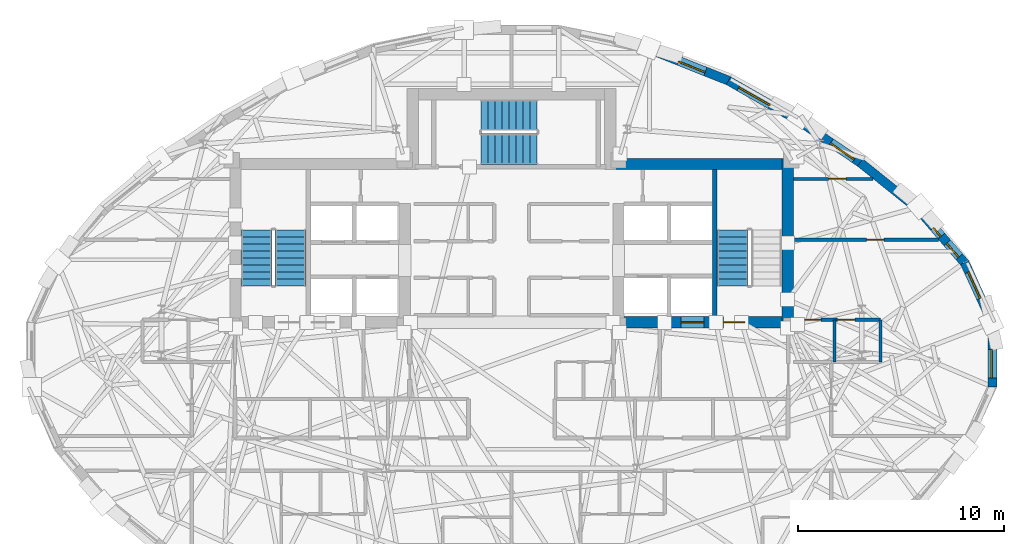
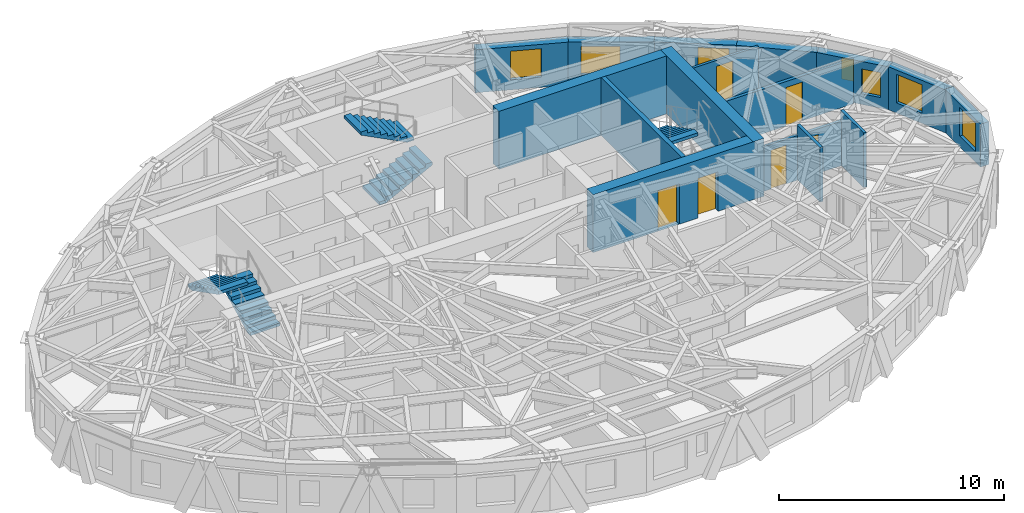
# One storey, part 10 of 14: 16 walls, 7 windows, 6 doors, 5 stair flights, 13 openings, 3 elements without a shape of their own.
"""IFC4 building model written with IfcOpenShell, lengths in metres."""

from ifc_helpers import new_model, si_unit, direction, frame, frame_2d, origin, place, context, subcontext, project, spatial, polyline, rectangle, outline, extrude, material, layer, layer_set, type_object, element, fill, aggregate, save


model = new_model("IFC4")

# Units and contexts
model_context = context("Model", 3, precision=1e-05, world=origin(), true_north=direction((0.0, 1.0)))
body_context = subcontext(model_context, "Body", "Model", "MODEL_VIEW")
ifc_project = project(units=[si_unit("LENGTHUNIT", "METRE"), si_unit("AREAUNIT", "SQUARE_METRE"), si_unit("VOLUMEUNIT", "CUBIC_METRE"), si_unit("PLANEANGLEUNIT", "RADIAN"), si_unit("MASSUNIT", "GRAM", prefix="KILO")], contexts=[model_context])

# Site, building, storey
site_placement = place(None, origin())
site = spatial("IfcSite", under=ifc_project, at=site_placement, CompositionType="ELEMENT")
building_placement = place(site_placement, origin())
building = spatial("IfcBuilding", under=site, at=building_placement, Name="Keldmark Tower", CompositionType="ELEMENT")
storey_placement = place(building_placement, frame((0.0, 0.0, 213.14990234375)))
storey = spatial("IfcBuildingStorey", under=building, at=storey_placement, Name="L59", CompositionType="ELEMENT", Elevation=213.14990234375)

# Walls
ifc_material_1 = material(Name="Concrete C50/60", Category="concrete")
ifc_layer_1 = layer(ifc_material_1, 0.550048828125)
ifc_layer_set_1 = layer_set([ifc_layer_1], Name="Concrete C50/60")
wall_type_1 = type_object("IfcWallType", Name="High-Rise Core Shear Wall 550 mm", PredefinedType="SHEAR", material=ifc_layer_set_1)
wall_1_placement = place(storey_placement, frame((13.425048828125, 1.300048828125, 0.0), z_axis=(0.0, 0.0, 1.0), x_axis=(0.0, 1.0, 0.0)))
element("IfcWall", 1, at=wall_1_placement, inside=storey, type_object=wall_type_1, Name="L59 East Core Outer Shear Wall", PredefinedType="SHEAR", context=body_context, shape_type="SweptSolid", body=[
    extrude(rectangle(XDim=8.25, YDim=0.550048828125, at=frame_2d((4.125, 0.0))), origin(), (0.0, 0.0, 1.0), 3.150146484375),
])
wall_2_placement = place(storey_placement, frame((4.52490234375, 9.27490234375, 0.0), z_axis=(0.0, 0.0, 1.0), x_axis=(1.0, 0.0, 0.0)))
element("IfcWall", 2, at=wall_2_placement, inside=storey, type_object=wall_type_1, Name="L59 East Core North Shear Wall", PredefinedType="SHEAR", context=body_context, shape_type="SweptSolid", body=[
    extrude(rectangle(XDim=9.175048828125, YDim=0.550048828125, at=frame_2d((4.58740234375, 0.0))), origin(), (0.0, 0.0, 1.0), 3.150146484375),
])

# Wall, openings, doors
wall_3_placement = place(storey_placement, frame((13.699951171875, 1.574951171875, 0.0), z_axis=(0.0, 0.0, 1.0), x_axis=(-1.0, 0.0, 0.0)))
wall_3 = element("IfcWall", 3, at=wall_3_placement, inside=storey, type_object=wall_type_1, Name="L59 East Core South Shear Wall", PredefinedType="SHEAR", context=body_context, shape_type="SweptSolid", body=[
    extrude(rectangle(XDim=8.77490234375, YDim=0.550048828125, at=frame_2d((4.387451171875, 0.0))), origin(), (0.0, 0.0, 1.0), 3.150146484375),
])
opening_1_placement = place(wall_3_placement, frame((2.35009765625, 0.0, 0.0)))
opening_1 = element("IfcOpeningElement", 4, at=opening_1_placement, cuts=wall_3, Name="Opening D-ST105", PredefinedType="OPENING", context=body_context, shape_type="SweptSolid", body=[
    extrude(rectangle(XDim=1.050048828125, YDim=2.14990234375, at=frame_2d((0.52490234375, 1.074951171875))), frame((0.0, 0.284912109375, 0.0), z_axis=(0.0, -1.0, 0.0), x_axis=(1.0, 0.0, 0.0)), (0.0, 0.0, 1.0), 0.570068359375),
])
opening_2_placement = place(wall_3_placement, frame((4.35009765625, 0.0, 0.0)))
opening_2 = element("IfcOpeningElement", 5, at=opening_2_placement, cuts=wall_3, Name="Opening LD-110", PredefinedType="OPENING", context=body_context, shape_type="SweptSolid", body=[
    extrude(rectangle(XDim=1.10009765625, YDim=2.199951171875, at=frame_2d((0.550048828125, 1.10009765625))), frame((0.0, 0.284912109375, 0.0), z_axis=(0.0, -1.0, 0.0), x_axis=(1.0, 0.0, 0.0)), (0.0, 0.0, 1.0), 0.570068359375),
])
ifc_material_2 = material(Name="Brushed Bronze Hoistway Sliding Leaf", Category="metal")
door_type_1 = type_object("IfcDoorType", Name="Lift Landing Sliding Door 1100x2200", OperationType="SLIDING_TO_LEFT", PredefinedType="DOOR", material=ifc_material_2)
door_1_placement = place(opening_2_placement, origin())
door_1 = element("IfcDoor", 6, at=door_1_placement, inside=storey, type_object=door_type_1, Name="L59 Lift Landing Sliding Door 1100x2200 LD-EL-FS2-L59", OperationType="SLIDING_TO_LEFT", OverallHeight=2.199951171875, OverallWidth=1.10009765625, PredefinedType="DOOR", context=body_context, shape_type="SweptSolid", body=[
    extrude(rectangle(XDim=1.10009765625, YDim=2.199951171875, at=frame_2d((0.550048828125, 1.10009765625))), frame((0.0, 0.02490234375, 0.0), z_axis=(0.0, -1.0, 0.0), x_axis=(1.0, 0.0, 0.0)), (0.0, 0.0, 1.0), 0.050048828125),
])
fill(opening_2, door_1)
ifc_material_3 = material(Name="Hollow Metal Fire-Rated Door Assembly", Category="metal")
door_type_2 = type_object("IfcDoorType", Name="Stair Fire Door 1050x2150", OperationType="NOTDEFINED", PredefinedType="DOOR", material=ifc_material_3)
door_2_placement = place(opening_1_placement, origin())
door_2 = element("IfcDoor", 7, at=door_2_placement, inside=storey, type_object=door_type_2, Name="L59 Stair Fire Door 1050x2150 D-ST2-L59", OperationType="SINGLE_SWING_LEFT", OverallHeight=2.14990234375, OverallWidth=1.050048828125, PredefinedType="DOOR", context=body_context, shape_type="SweptSolid", body=[
    extrude(rectangle(XDim=1.050048828125, YDim=2.14990234375, at=frame_2d((0.52490234375, 1.074951171875))), frame((0.0, 0.02490234375, 0.0), z_axis=(0.0, -1.0, 0.0), x_axis=(1.0, 0.0, 0.0)), (0.0, 0.0, 1.0), 0.050048828125),
])
fill(opening_1, door_2)

# Wall, opening, door
ifc_material_4 = material(Name="Acoustic Gypsum Board Interior Partition", Category="gypsum")
ifc_layer_2 = layer(ifc_material_4, 0.1298828125)
ifc_layer_set_2 = layer_set([ifc_layer_2], Name="Acoustic Gypsum Board Interior Partition")
wall_type_2 = type_object("IfcWallType", Name="Interior Partition 130 mm", PredefinedType="PARTITIONING", material=ifc_layer_set_2)
wall_4_placement = place(storey_placement, frame((13.699951171875, 8.550048828125, 0.0), z_axis=(0.0, 0.0, 1.0), x_axis=(1.0, 0.0, 0.0)))
wall_4 = element("IfcWall", 8, at=wall_4_placement, inside=storey, type_object=wall_type_2, Name="L59 Interior Partition 130 mm UD-NDIV2", PredefinedType="PARTITIONING", context=body_context, shape_type="SweptSolid", body=[
    extrude(rectangle(XDim=3.8818359375, YDim=0.1298828125, at=frame_2d((1.94091796875, 0.0))), origin(), (0.0, 0.0, 1.0), 2.423095703125),
])
opening_3_placement = place(wall_4_placement, frame((1.719970703125, 0.0, 0.0)))
opening_3 = element("IfcOpeningElement", 9, at=opening_3_placement, cuts=wall_4, Name="Opening D-IN085", PredefinedType="OPENING", context=body_context, shape_type="SweptSolid", body=[
    extrude(rectangle(XDim=0.85009765625, YDim=2.10009765625, at=frame_2d((0.425048828125, 1.050048828125))), frame((0.0, 0.074951171875, 0.0), z_axis=(0.0, -1.0, 0.0), x_axis=(1.0, 0.0, 0.0)), (0.0, 0.0, 1.0), 0.14990234375),
])
ifc_material_5 = material(Name="Painted Architectural Wood", Category="wood")
door_type_3 = type_object("IfcDoorType", Name="Interior Door 850x2100", OperationType="NOTDEFINED", PredefinedType="DOOR", material=ifc_material_5)
door_3_placement = place(opening_3_placement, origin())
door_3 = element("IfcDoor", 10, at=door_3_placement, inside=storey, type_object=door_type_3, Name="L59 Interior Door 850x2100 D-UD-BR2-L59", OperationType="SINGLE_SWING_RIGHT", OverallHeight=2.10009765625, OverallWidth=0.85009765625, PredefinedType="DOOR", context=body_context, shape_type="SweptSolid", body=[
    extrude(rectangle(XDim=0.85009765625, YDim=2.10009765625, at=frame_2d((0.425048828125, 1.050048828125))), frame((0.0, 0.02490234375, 0.0), z_axis=(0.0, -1.0, 0.0), x_axis=(1.0, 0.0, 0.0)), (0.0, 0.0, 1.0), 0.050048828125),
])
fill(opening_3, door_3)

ifc_material_6 = material(Name="Type X Fire-Rated Gypsum Partition Assembly", Category="gypsum")
ifc_layer_3 = layer(ifc_material_6, 0.1650390625)
ifc_layer_set_3 = layer_set([ifc_layer_3], Name="Type X Fire-Rated Gypsum Partition Assembly")
wall_type_3 = type_object("IfcWallType", Name="Rated Partition 165 mm", PredefinedType="PARTITIONING", material=ifc_layer_set_3)
wall_5_placement = place(storey_placement, frame((13.699951171875, 5.60009765625, 0.0), z_axis=(0.0, 0.0, 1.0), x_axis=(1.0, 0.0, 0.0)))
wall_5 = element("IfcWall", 11, at=wall_5_placement, inside=storey, type_object=wall_type_3, Name="L59 Rated Partition 165 mm RE-NDIV", PredefinedType="PARTITIONING", context=body_context, shape_type="SweptSolid", body=[
    extrude(rectangle(XDim=7.05322265625, YDim=0.1650390625, at=frame_2d((3.526611328125, 0.0))), origin(), (0.0, 0.0, 1.0), 2.423095703125),
])
opening_4_placement = place(wall_5_placement, frame((3.570068359375, 0.0, 0.0)))
opening_4 = element("IfcOpeningElement", 12, at=opening_4_placement, cuts=wall_5, Name="Opening D-BR085", PredefinedType="OPENING", context=body_context, shape_type="SweptSolid", body=[
    extrude(rectangle(XDim=0.85009765625, YDim=2.10009765625, at=frame_2d((0.425048828125, 1.050048828125))), frame((0.0, 0.092529296875, 0.0), z_axis=(0.0, -1.0, 0.0), x_axis=(1.0, 0.0, 0.0)), (0.0, 0.0, 1.0), 0.18505859375),
])
ifc_material_7 = material(Name="Solid-Core Stained Walnut Wood", Category="wood")
door_type_4 = type_object("IfcDoorType", Name="Bedroom Door 850x2100", OperationType="NOTDEFINED", PredefinedType="DOOR", material=ifc_material_7)
door_4_placement = place(opening_4_placement, origin())
door_4 = element("IfcDoor", 13, at=door_4_placement, inside=storey, type_object=door_type_4, Name="L59 Bedroom Door 850x2100 D-UD-BR1-L59", OperationType="SINGLE_SWING_LEFT", OverallHeight=2.10009765625, OverallWidth=0.85009765625, PredefinedType="DOOR", context=body_context, shape_type="SweptSolid", body=[
    extrude(rectangle(XDim=0.85009765625, YDim=2.10009765625, at=frame_2d((0.425048828125, 1.050048828125))), frame((0.0, 0.02490234375, 0.0), z_axis=(0.0, -1.0, 0.0), x_axis=(1.0, 0.0, 0.0)), (0.0, 0.0, 1.0), 0.050048828125),
])
fill(opening_4, door_4)

# Wall
ifc_material_8 = material(Name="Concrete C50/60", Category="concrete")
ifc_layer_4 = layer(ifc_material_8, 0.219970703125)
ifc_layer_set_4 = layer_set([ifc_layer_4], Name="Concrete C50/60")
wall_type_4 = type_object("IfcWallType", Name="Stair Core Shear Wall 220 mm", PredefinedType="SHEAR", material=ifc_layer_set_4)
wall_6_placement = place(storey_placement, frame((9.889892578125, 1.85009765625, 0.0), z_axis=(0.0, 0.0, 1.0), x_axis=(0.0, 1.0, 0.0)))
element("IfcWall", 14, at=wall_6_placement, inside=storey, type_object=wall_type_4, Name="L59 East Stair Core Shear Wall", PredefinedType="SHEAR", context=body_context, shape_type="SweptSolid", body=[
    extrude(rectangle(XDim=7.14990234375, YDim=0.219970703125, at=frame_2d((3.574951171875, 0.0))), origin(), (0.0, 0.0, 1.0), 3.150146484375),
])

# Wall, opening, window
ifc_material_9 = material(Name="Ironspot Manganese Brick and Kasota Buff Limestone Spandrel Assembly", Category="masonry")
ifc_layer_5 = layer(ifc_material_9, 0.43994140625)
ifc_layer_set_5 = layer_set([ifc_layer_5], Name="Ironspot Manganese Brick and Kasota Buff Limestone Spandrel Assembly")
wall_type_5 = type_object("IfcWallType", Name="Tower Brick Pier and Spandrel Wall 440 mm", PredefinedType="STANDARD", material=ifc_layer_set_5)
wall_7_placement = place(storey_placement, frame((22.03271484375, 4.482421875, 0.0), z_axis=(0.0, 0.0, 1.0), x_axis=(0.417358097416, -0.908742107818, 0.0)))
wall_7 = element("IfcWall", 15, at=wall_7_placement, inside=storey, type_object=wall_type_5, Name="L59 Exterior Brick and Spandrel Wall 01", PredefinedType="STANDARD", context=body_context, shape_type="SweptSolid", body=[
    extrude(rectangle(XDim=3.298095703125, YDim=0.43994140625, at=frame_2d((1.64892578125, 0.0))), origin(), (0.0, 0.0, 1.0), 2.336181640625),
])
opening_5_placement = place(wall_7_placement, frame((0.49951171875, 0.0, 0.550048828125)))
opening_5 = element("IfcOpeningElement", 16, at=opening_5_placement, cuts=wall_7, Name="Opening W-08", PredefinedType="OPENING", context=body_context, shape_type="SweptSolid", body=[
    extrude(rectangle(XDim=1.39990234375, YDim=1.550048828125, at=frame_2d((0.699951171875, 0.77490234375))), frame((0.0, 0.22998046875, 0.0), z_axis=(0.0, -1.0, 0.0), x_axis=(1.0, 0.0, 0.0)), (0.0, 0.0, 1.0), 0.4599609375),
])
ifc_material_10 = material(Name="Thermally Broken Anodized Aluminum and Triple Low-E Argon Glazing", Category="aluminium")
window_type_1 = type_object("IfcWindowType", Name="Residential Corner Punched Window 1400x1550", PartitioningType="SINGLE_PANEL", PredefinedType="WINDOW", material=ifc_material_10)
window_1_placement = place(opening_5_placement, origin())
window_1 = element("IfcWindow", 17, at=window_1_placement, inside=storey, type_object=window_type_1, Name="L59 Deep-Set Window 01", OverallHeight=1.550048828125, OverallWidth=1.39990234375, PartitioningType="SINGLE_PANEL", PredefinedType="WINDOW", context=body_context, shape_type="SweptSolid", body=[
    extrude(rectangle(XDim=1.39990234375, YDim=1.550048828125, at=frame_2d((0.699951171875, 0.77490234375))), frame((0.0, -0.010009765625, 0.0), z_axis=(0.0, -1.0, 0.0), x_axis=(1.0, 0.0, 0.0)), (0.0, 0.0, 1.0), 0.06005859375),
])
fill(opening_5, window_1)

# Wall, openings, windows
wall_8_placement = place(storey_placement, frame((19.771240234375, 7.083984375, 0.0), z_axis=(0.0, 0.0, 1.0), x_axis=(0.654143325051, -0.75637061702, 0.0)))
wall_8 = element("IfcWall", 18, at=wall_8_placement, inside=storey, type_object=wall_type_5, Name="L59 Exterior Brick and Spandrel Wall 02", PredefinedType="STANDARD", context=body_context, shape_type="SweptSolid", body=[
    extrude(rectangle(XDim=3.50830078125, YDim=0.43994140625, at=frame_2d((1.754150390625, 0.0))), origin(), (0.0, 0.0, 1.0), 2.336181640625),
])
opening_6_placement = place(wall_8_placement, frame((2.1630859375, 0.0, 0.580078125)))
opening_6 = element("IfcOpeningElement", 19, at=opening_6_placement, cuts=wall_8, Name="Opening W-09", PredefinedType="OPENING", context=body_context, shape_type="SweptSolid", body=[
    extrude(rectangle(XDim=0.89990234375, YDim=1.35009765625, at=frame_2d((0.449951171875, 0.675048828125))), frame((0.0, 0.22998046875, 0.0), z_axis=(0.0, -1.0, 0.0), x_axis=(1.0, 0.0, 0.0)), (0.0, 0.0, 1.0), 0.4599609375),
])
opening_7_placement = place(wall_8_placement, frame((1.177734375, 0.0, 1.050048828125)))
opening_7 = element("IfcOpeningElement", 20, at=opening_7_placement, cuts=wall_8, Name="Opening W-10", PredefinedType="OPENING", context=body_context, shape_type="SweptSolid", body=[
    extrude(rectangle(XDim=0.56005859375, YDim=1.14990234375, at=frame_2d((0.280029296875, 0.574951171875))), frame((0.0, 0.22998046875, 0.0), z_axis=(0.0, -1.0, 0.0), x_axis=(1.0, 0.0, 0.0)), (0.0, 0.0, 1.0), 0.4599609375),
])
ifc_material_11 = material(Name="Thermally Broken Anodized Aluminum and Triple Low-E Argon Glazing", Category="aluminium")
window_type_2 = type_object("IfcWindowType", Name="Corner Pier Deep-Set Window 900x1350", PartitioningType="SINGLE_PANEL", PredefinedType="WINDOW", material=ifc_material_11)
window_2_placement = place(opening_6_placement, origin())
window_2 = element("IfcWindow", 21, at=window_2_placement, inside=storey, type_object=window_type_2, Name="L59 Deep-Set Window 02", OverallHeight=1.35009765625, OverallWidth=0.89990234375, PartitioningType="SINGLE_PANEL", PredefinedType="WINDOW", context=body_context, shape_type="SweptSolid", body=[
    extrude(rectangle(XDim=0.89990234375, YDim=1.35009765625, at=frame_2d((0.449951171875, 0.675048828125))), frame((0.0, -0.010009765625, 0.0), z_axis=(0.0, -1.0, 0.0), x_axis=(1.0, 0.0, 0.0)), (0.0, 0.0, 1.0), 0.06005859375),
])
fill(opening_6, window_2)
ifc_material_12 = material(Name="Thermally Broken Anodized Aluminum and Triple Low-E Argon Glazing", Category="aluminium")
window_type_3 = type_object("IfcWindowType", Name="Narrow Pier Lancet Window 560x1150", PartitioningType="SINGLE_PANEL", PredefinedType="WINDOW", material=ifc_material_12)
window_3_placement = place(opening_7_placement, origin())
window_3 = element("IfcWindow", 22, at=window_3_placement, inside=storey, type_object=window_type_3, Name="L59 Pier Window RM02", OverallHeight=1.14990234375, OverallWidth=0.56005859375, PartitioningType="SINGLE_PANEL", PredefinedType="WINDOW", context=body_context, shape_type="SweptSolid", body=[
    extrude(rectangle(XDim=0.56005859375, YDim=1.14990234375, at=frame_2d((0.280029296875, 0.574951171875))), frame((0.0, -0.010009765625, 0.0), z_axis=(0.0, -1.0, 0.0), x_axis=(1.0, 0.0, 0.0)), (0.0, 0.0, 1.0), 0.06005859375),
])
fill(opening_7, window_3)

# Wall
wall_9_placement = place(storey_placement, frame((16.95849609375, 9.344970703125, 0.0), z_axis=(0.0, 0.0, 1.0), x_axis=(0.778794775864, -0.627278803314, 0.0)))
element("IfcWall", 23, at=wall_9_placement, inside=storey, type_object=wall_type_5, Name="L59 Exterior Brick and Spandrel Wall 03", PredefinedType="STANDARD", context=body_context, shape_type="SweptSolid", body=[
    extrude(rectangle(XDim=3.64794921875, YDim=0.43994140625, at=frame_2d((1.823974609375, 0.0))), origin(), (0.0, 0.0, 1.0), 2.336181640625),
])

# Wall, opening, window
wall_10_placement = place(storey_placement, frame((13.9072265625, 11.413330078125, 0.0), z_axis=(0.0, 0.0, 1.0), x_axis=(0.827592777121, -0.561328954586, 0.0)))
wall_10 = element("IfcWall", 24, at=wall_10_placement, inside=storey, type_object=wall_type_5, Name="L59 Exterior Brick and Spandrel Wall 04", PredefinedType="STANDARD", context=body_context, shape_type="SweptSolid", body=[
    extrude(rectangle(XDim=3.704345703125, YDim=0.43994140625, at=frame_2d((1.85205078125, 0.0))), origin(), (0.0, 0.0, 1.0), 2.336181640625),
])
opening_8_placement = place(wall_10_placement, frame((1.957763671875, 0.0, 0.580078125)))
opening_8 = element("IfcOpeningElement", 25, at=opening_8_placement, cuts=wall_10, Name="Opening W-08", PredefinedType="OPENING", context=body_context, shape_type="SweptSolid", body=[
    extrude(rectangle(XDim=1.39990234375, YDim=1.550048828125, at=frame_2d((0.699951171875, 0.77490234375))), frame((0.0, 0.22998046875, 0.0), z_axis=(0.0, -1.0, 0.0), x_axis=(1.0, 0.0, 0.0)), (0.0, 0.0, 1.0), 0.4599609375),
])
window_4_placement = place(opening_8_placement, origin())
window_4 = element("IfcWindow", 26, at=window_4_placement, inside=storey, type_object=window_type_1, Name="L59 Deep-Set Window 04", OverallHeight=1.550048828125, OverallWidth=1.39990234375, PartitioningType="SINGLE_PANEL", PredefinedType="WINDOW", context=body_context, shape_type="SweptSolid", body=[
    extrude(rectangle(XDim=1.39990234375, YDim=1.550048828125, at=frame_2d((0.699951171875, 0.77490234375))), frame((0.0, -0.010009765625, 0.0), z_axis=(0.0, -1.0, 0.0), x_axis=(1.0, 0.0, 0.0)), (0.0, 0.0, 1.0), 0.06005859375),
])
fill(opening_8, window_4)

wall_11_placement = place(storey_placement, frame((10.5478515625, 13.33154296875, 0.0), z_axis=(0.0, 0.0, 1.0), x_axis=(0.868339797426, -0.495969753317, 0.0)))
wall_11 = element("IfcWall", 27, at=wall_11_placement, inside=storey, type_object=wall_type_5, Name="L59 Exterior Brick and Spandrel Wall 05", PredefinedType="STANDARD", context=body_context, shape_type="SweptSolid", body=[
    extrude(rectangle(XDim=3.88525390625, YDim=0.43994140625, at=frame_2d((1.942626953125, 0.0))), origin(), (0.0, 0.0, 1.0), 2.336181640625),
])
opening_9_placement = place(wall_11_placement, frame((0.5966796875, 0.0, 0.550048828125)))
opening_9 = element("IfcOpeningElement", 28, at=opening_9_placement, cuts=wall_11, Name="Opening W-05", PredefinedType="OPENING", context=body_context, shape_type="SweptSolid", body=[
    extrude(rectangle(XDim=1.75, YDim=1.550048828125, at=frame_2d((0.875, 0.77490234375))), frame((0.0, 0.22998046875, 0.0), z_axis=(0.0, -1.0, 0.0), x_axis=(1.0, 0.0, 0.0)), (0.0, 0.0, 1.0), 0.4599609375),
])
ifc_material_13 = material(Name="Thermally Broken Anodized Aluminum and Triple Low-E Argon Glazing", Category="aluminium")
window_type_4 = type_object("IfcWindowType", Name="Residential Deep-Set Window 1750x1550", PartitioningType="DOUBLE_PANEL_VERTICAL", PredefinedType="WINDOW", material=ifc_material_13)
window_5_placement = place(opening_9_placement, origin())
window_5 = element("IfcWindow", 29, at=window_5_placement, inside=storey, type_object=window_type_4, Name="L59 Deep-Set Window 05", OverallHeight=1.550048828125, OverallWidth=1.75, PartitioningType="SINGLE_PANEL", PredefinedType="WINDOW", context=body_context, shape_type="SweptSolid", body=[
    extrude(rectangle(XDim=1.75, YDim=1.550048828125, at=frame_2d((0.875, 0.77490234375))), frame((0.0, -0.010009765625, 0.0), z_axis=(0.0, -1.0, 0.0), x_axis=(1.0, 0.0, 0.0)), (0.0, 0.0, 1.0), 0.06005859375),
])
fill(opening_9, window_5)

wall_12_placement = place(storey_placement, frame((6.662841796875, 14.874755859375, 0.0), z_axis=(0.0, 0.0, 1.0), x_axis=(0.929170765931, -0.369650764558, 0.0)))
wall_12 = element("IfcWall", 30, at=wall_12_placement, inside=storey, type_object=wall_type_5, Name="L59 Exterior Brick and Spandrel Wall 06", PredefinedType="STANDARD", context=body_context, shape_type="SweptSolid", body=[
    extrude(rectangle(XDim=4.211181640625, YDim=0.43994140625, at=frame_2d((2.10546875, 0.0))), origin(), (0.0, 0.0, 1.0), 2.336181640625),
])
opening_10_placement = place(wall_12_placement, frame((1.57763671875, 0.0, 0.550048828125)))
opening_10 = element("IfcOpeningElement", 31, at=opening_10_placement, cuts=wall_12, Name="Opening W-08", PredefinedType="OPENING", context=body_context, shape_type="SweptSolid", body=[
    extrude(rectangle(XDim=1.39990234375, YDim=1.550048828125, at=frame_2d((0.699951171875, 0.77490234375))), frame((0.0, 0.22998046875, 0.0), z_axis=(0.0, -1.0, 0.0), x_axis=(1.0, 0.0, 0.0)), (0.0, 0.0, 1.0), 0.4599609375),
])
window_6_placement = place(opening_10_placement, origin())
window_6 = element("IfcWindow", 32, at=window_6_placement, inside=storey, type_object=window_type_1, Name="L59 Deep-Set Window 06", OverallHeight=1.550048828125, OverallWidth=1.39990234375, PartitioningType="SINGLE_PANEL", PredefinedType="WINDOW", context=body_context, shape_type="SweptSolid", body=[
    extrude(rectangle(XDim=1.39990234375, YDim=1.550048828125, at=frame_2d((0.699951171875, 0.77490234375))), frame((0.0, -0.010009765625, 0.0), z_axis=(0.0, -1.0, 0.0), x_axis=(1.0, 0.0, 0.0)), (0.0, 0.0, 1.0), 0.06005859375),
])
fill(opening_10, window_6)

wall_13_placement = place(storey_placement, frame((23.38916015625, 1.5771484375, 0.0), z_axis=(0.0, 0.0, 1.0), x_axis=(0.0, -1.0, 0.0)))
wall_13 = element("IfcWall", 33, at=wall_13_placement, inside=storey, type_object=wall_type_5, Name="L59 Exterior Brick and Spandrel Wall 32", PredefinedType="STANDARD", context=body_context, shape_type="SweptSolid", body=[
    extrude(rectangle(XDim=3.154296875, YDim=0.43994140625, at=frame_2d((1.5771484375, 0.0))), origin(), (0.0, 0.0, 1.0), 2.336181640625),
])
opening_11_placement = place(wall_13_placement, frame((1.3125, 0.0, 0.580078125)))
opening_11 = element("IfcOpeningElement", 34, at=opening_11_placement, cuts=wall_13, Name="Opening W-08", PredefinedType="OPENING", context=body_context, shape_type="SweptSolid", body=[
    extrude(rectangle(XDim=1.39990234375, YDim=1.550048828125, at=frame_2d((0.699951171875, 0.77490234375))), frame((0.0, 0.22998046875, 0.0), z_axis=(0.0, -1.0, 0.0), x_axis=(1.0, 0.0, 0.0)), (0.0, 0.0, 1.0), 0.4599609375),
])
window_7_placement = place(opening_11_placement, origin())
window_7 = element("IfcWindow", 35, at=window_7_placement, inside=storey, type_object=window_type_1, Name="L59 Deep-Set Window 32", OverallHeight=1.550048828125, OverallWidth=1.39990234375, PartitioningType="SINGLE_PANEL", PredefinedType="WINDOW", context=body_context, shape_type="SweptSolid", body=[
    extrude(rectangle(XDim=1.39990234375, YDim=1.550048828125, at=frame_2d((0.699951171875, 0.77490234375))), frame((0.0, -0.010009765625, 0.0), z_axis=(0.0, -1.0, 0.0), x_axis=(1.0, 0.0, 0.0)), (0.0, 0.0, 1.0), 0.06005859375),
])
fill(opening_11, window_7)

# Wall, openings, doors
ifc_material_14 = material(Name="Moisture-Resistant Gypsum Plumbing Partition", Category="gypsum")
ifc_layer_6 = layer(ifc_material_14, 0.14990234375)
ifc_layer_set_6 = layer_set([ifc_layer_6], Name="Moisture-Resistant Gypsum Plumbing Partition")
wall_type_6 = type_object("IfcWallType", Name="Wet Wall 150 mm", PredefinedType="PLUMBINGWALL", material=ifc_layer_set_6)
wall_14_placement = place(storey_placement, frame((13.699951171875, 1.699951171875, 0.0), z_axis=(0.0, 0.0, 1.0), x_axis=(1.0, 0.0, 0.0)))
wall_14 = element("IfcWall", 36, at=wall_14_placement, inside=storey, type_object=wall_type_6, Name="L59 Wet Wall 150 mm UD-BK-N", PredefinedType="PLUMBINGWALL", context=body_context, shape_type="SweptSolid", body=[
    extrude(rectangle(XDim=4.25, YDim=0.14990234375, at=frame_2d((2.125, 0.0))), origin(), (0.0, 0.0, 1.0), 2.423095703125),
])
opening_12_placement = place(wall_14_placement, frame((0.550048828125, 0.0, 0.0)))
opening_12 = element("IfcOpeningElement", 37, at=opening_12_placement, cuts=wall_14, Name="Opening D-BT080", PredefinedType="OPENING", context=body_context, shape_type="SweptSolid", body=[
    extrude(rectangle(XDim=0.800048828125, YDim=2.10009765625, at=frame_2d((0.39990234375, 1.050048828125))), frame((0.0, 0.0849609375, 0.0), z_axis=(0.0, -1.0, 0.0), x_axis=(1.0, 0.0, 0.0)), (0.0, 0.0, 1.0), 0.169921875),
])
opening_13_placement = place(wall_14_placement, frame((2.14990234375, 0.0, 0.0)))
opening_13 = element("IfcOpeningElement", 38, at=opening_13_placement, cuts=wall_14, Name="Opening D-IN085", PredefinedType="OPENING", context=body_context, shape_type="SweptSolid", body=[
    extrude(rectangle(XDim=0.85009765625, YDim=2.10009765625, at=frame_2d((0.425048828125, 1.050048828125))), frame((0.0, 0.0849609375, 0.0), z_axis=(0.0, -1.0, 0.0), x_axis=(1.0, 0.0, 0.0)), (0.0, 0.0, 1.0), 0.169921875),
])
ifc_material_15 = material(Name="Moisture-Sealed Stained Wood", Category="wood")
door_type_5 = type_object("IfcDoorType", Name="Bathroom Door 800x2100", OperationType="NOTDEFINED", PredefinedType="DOOR", material=ifc_material_15)
door_5_placement = place(opening_12_placement, origin())
door_5 = element("IfcDoor", 39, at=door_5_placement, inside=storey, type_object=door_type_5, Name="L59 Bathroom Door 800x2100 D-UD-BATH-L59", OperationType="SINGLE_SWING_RIGHT", OverallHeight=2.10009765625, OverallWidth=0.800048828125, PredefinedType="DOOR", context=body_context, shape_type="SweptSolid", body=[
    extrude(rectangle(XDim=0.800048828125, YDim=2.10009765625, at=frame_2d((0.39990234375, 1.050048828125))), frame((0.0, 0.02490234375, 0.0), z_axis=(0.0, -1.0, 0.0), x_axis=(1.0, 0.0, 0.0)), (0.0, 0.0, 1.0), 0.050048828125),
])
fill(opening_12, door_5)
door_6_placement = place(opening_13_placement, origin())
door_6 = element("IfcDoor", 40, at=door_6_placement, inside=storey, type_object=door_type_3, Name="L59 Interior Door 850x2100 D-UD-KIT-L59", OperationType="SINGLE_SWING_LEFT", OverallHeight=2.10009765625, OverallWidth=0.85009765625, PredefinedType="DOOR", context=body_context, shape_type="SweptSolid", body=[
    extrude(rectangle(XDim=0.85009765625, YDim=2.10009765625, at=frame_2d((0.425048828125, 1.050048828125))), frame((0.0, 0.02490234375, 0.0), z_axis=(0.0, -1.0, 0.0), x_axis=(1.0, 0.0, 0.0)), (0.0, 0.0, 1.0), 0.050048828125),
])
fill(opening_13, door_6)

# Walls
for number, where, z_axis, x_axis, name in (
    (41, (15.699951171875, -0.35009765625, 0.0), (0.0, 0.0, 1.0), (0.0, 1.0, 0.0), "L59 Wet Wall 150 mm UD-BK-M"),
    (42, (17.949951171875, -0.35009765625, 0.0), (0.0, 0.0, 1.0), (0.0, 1.0, 0.0), "L59 Wet Wall 150 mm UD-BK-OUT"),
):
    element("IfcWall", number, at=place(storey_placement, frame(where, z_axis=z_axis, x_axis=x_axis)), inside=storey, type_object=wall_type_6, Name=name, PredefinedType="PLUMBINGWALL", context=body_context, shape_type="SweptSolid", body=[
        extrude(rectangle(XDim=2.050048828125, YDim=0.14990234375, at=frame_2d((1.02490234375, 0.0))), origin(), (0.0, 0.0, 1.0), 2.97021484375),
    ])

# Stair, stair flights
ifc_material_16 = material(Name="Concrete C40/50", Category="concrete")
stair_type = type_object("IfcStairType", Name="Precast Concrete Core Exit Stair", PredefinedType="HALF_TURN_STAIR", material=ifc_material_16)
stair_1_placement = place(storey_placement, origin())
stair_1 = element("IfcStair", 43, at=stair_1_placement, inside=storey, type_object=stair_type, Name="L59 Exit Stair ST1", PredefinedType="HALF_TURN_STAIR")
ifc_material_17 = material(Name="Concrete C40/50", Category="concrete")
stair_flight_type = type_object("IfcStairFlightType", Name="Precast Concrete Stair Flight 1500 mm", PredefinedType="STRAIGHT", material=ifc_material_17)
stair_flight_1_placement = place(storey_placement, frame((-10.75, 3.35009765625, 0.0), z_axis=(0.0, 0.0, 1.0), x_axis=(0.0, 1.0, 0.0)))
stair_flight_1 = element("IfcStairFlight", 44, at=stair_flight_1_placement, type_object=stair_flight_type, Name="ST1 flight 1", NumberOfRisers=9, NumberOfTreads=8, PredefinedType="STRAIGHT", RiserHeight=0.175, TreadLength=0.34, context=body_context, shape_type="SweptSolid", body=[
    extrude(outline(polyline([(0.0, 0.0), (0.0, 0.175048828125), (0.340087890625, 0.175048828125), (0.340087890625, 0.35009765625), (0.679931640625, 0.35009765625), (0.679931640625, 0.52490234375), (1.02001953125, 0.52490234375), (1.02001953125, 0.699951171875), (1.360107421875, 0.699951171875), (1.360107421875, 0.875), (1.699951171875, 0.875), (1.699951171875, 1.050048828125), (2.0400390625, 1.050048828125), (2.0400390625, 1.22509765625), (2.3798828125, 1.22509765625), (2.3798828125, 1.39990234375), (2.719970703125, 1.39990234375), (2.719970703125, 1.574951171875), (2.719970703125, 1.2314453125), (0.32763671875, 0.0), (0.0, 0.0)])), frame((0.0, 0.75, 0.0), z_axis=(0.0, -1.0, 0.0), x_axis=(1.0, 0.0, 0.0)), (0.0, 0.0, 1.0), 1.5),
])
stair_flight_2_placement = place(storey_placement, frame((-12.39990234375, 6.070068359375, 1.5751953125), z_axis=(0.0, 0.0, 1.0), x_axis=(0.0, -1.0, 0.0)))
stair_flight_2 = element("IfcStairFlight", 45, at=stair_flight_2_placement, type_object=stair_flight_type, Name="ST1 flight 2", NumberOfRisers=9, NumberOfTreads=8, PredefinedType="STRAIGHT", RiserHeight=0.175, TreadLength=0.34, context=body_context, shape_type="SweptSolid", body=[
    extrude(outline(polyline([(0.0, 0.0), (0.0, 0.175048828125), (0.340087890625, 0.175048828125), (0.340087890625, 0.35009765625), (0.679931640625, 0.35009765625), (0.679931640625, 0.52490234375), (1.02001953125, 0.52490234375), (1.02001953125, 0.699951171875), (1.360107421875, 0.699951171875), (1.360107421875, 0.875), (1.699951171875, 0.875), (1.699951171875, 1.050048828125), (2.0400390625, 1.050048828125), (2.0400390625, 1.22509765625), (2.3798828125, 1.22509765625), (2.3798828125, 1.39990234375), (2.719970703125, 1.39990234375), (2.719970703125, 1.574951171875), (2.719970703125, 1.2314453125), (0.32763671875, 0.0), (0.0, 0.0)])), frame((0.0, 0.75, 0.0), z_axis=(0.0, -1.0, 0.0), x_axis=(1.0, 0.0, 0.0)), (0.0, 0.0, 1.0), 1.5),
])
aggregate(stair_1, [stair_flight_1, stair_flight_2])

# Stair, stair flight
stair_2_placement = place(storey_placement, origin())
stair_2 = element("IfcStair", 46, at=stair_2_placement, inside=storey, type_object=stair_type, Name="L59 Exit Stair ST2", PredefinedType="HALF_TURN_STAIR")
stair_flight_3_placement = place(storey_placement, frame((10.75, 6.070068359375, 1.5751953125), z_axis=(0.0, 0.0, 1.0), x_axis=(0.0, -1.0, 0.0)))
stair_flight_3 = element("IfcStairFlight", 47, at=stair_flight_3_placement, type_object=stair_flight_type, Name="ST2 flight 2", NumberOfRisers=9, NumberOfTreads=8, PredefinedType="STRAIGHT", RiserHeight=0.175, TreadLength=0.34, context=body_context, shape_type="SweptSolid", body=[
    extrude(outline(polyline([(0.0, 0.0), (0.0, 0.175048828125), (0.340087890625, 0.175048828125), (0.340087890625, 0.35009765625), (0.679931640625, 0.35009765625), (0.679931640625, 0.52490234375), (1.02001953125, 0.52490234375), (1.02001953125, 0.699951171875), (1.360107421875, 0.699951171875), (1.360107421875, 0.875), (1.699951171875, 0.875), (1.699951171875, 1.050048828125), (2.0400390625, 1.050048828125), (2.0400390625, 1.22509765625), (2.3798828125, 1.22509765625), (2.3798828125, 1.39990234375), (2.719970703125, 1.39990234375), (2.719970703125, 1.574951171875), (2.719970703125, 1.2314453125), (0.32763671875, 0.0), (0.0, 0.0)])), frame((0.0, 0.75, 0.0), z_axis=(0.0, -1.0, 0.0), x_axis=(1.0, 0.0, 0.0)), (0.0, 0.0, 1.0), 1.5),
])
aggregate(stair_2, [stair_flight_3])

# Stair, stair flights
stair_3_placement = place(storey_placement, origin())
stair_3 = element("IfcStair", 48, at=stair_3_placement, inside=storey, type_object=stair_type, Name="L59 Exit Stair ST3", PredefinedType="HALF_TURN_STAIR")
stair_flight_4_placement = place(storey_placement, frame((-1.47509765625, 10.0, 0.0), z_axis=(0.0, 0.0, 1.0), x_axis=(1.0, 0.0, 0.0)))
stair_flight_4 = element("IfcStairFlight", 49, at=stair_flight_4_placement, type_object=stair_flight_type, Name="ST3 flight 1", NumberOfRisers=9, NumberOfTreads=8, PredefinedType="STRAIGHT", RiserHeight=0.175, TreadLength=0.34, context=body_context, shape_type="SweptSolid", body=[
    extrude(outline(polyline([(0.0, 0.0), (0.0, 0.175048828125), (0.340087890625, 0.175048828125), (0.340087890625, 0.35009765625), (0.679931640625, 0.35009765625), (0.679931640625, 0.52490234375), (1.02001953125, 0.52490234375), (1.02001953125, 0.699951171875), (1.360107421875, 0.699951171875), (1.360107421875, 0.875), (1.699951171875, 0.875), (1.699951171875, 1.050048828125), (2.0400390625, 1.050048828125), (2.0400390625, 1.22509765625), (2.3798828125, 1.22509765625), (2.3798828125, 1.39990234375), (2.719970703125, 1.39990234375), (2.719970703125, 1.574951171875), (2.719970703125, 1.2314453125), (0.32763671875, 0.0), (0.0, 0.0)])), frame((0.0, 0.75, 0.0), z_axis=(0.0, -1.0, 0.0), x_axis=(1.0, 0.0, 0.0)), (0.0, 0.0, 1.0), 1.5),
])
stair_flight_5_placement = place(storey_placement, frame((1.2451171875, 11.64990234375, 1.5751953125), z_axis=(0.0, 0.0, 1.0), x_axis=(-1.0, 0.0, 0.0)))
stair_flight_5 = element("IfcStairFlight", 50, at=stair_flight_5_placement, type_object=stair_flight_type, Name="ST3 flight 2", NumberOfRisers=9, NumberOfTreads=8, PredefinedType="STRAIGHT", RiserHeight=0.175, TreadLength=0.34, context=body_context, shape_type="SweptSolid", body=[
    extrude(outline(polyline([(0.0, 0.0), (0.0, 0.175048828125), (0.340087890625, 0.175048828125), (0.340087890625, 0.35009765625), (0.679931640625, 0.35009765625), (0.679931640625, 0.52490234375), (1.02001953125, 0.52490234375), (1.02001953125, 0.699951171875), (1.360107421875, 0.699951171875), (1.360107421875, 0.875), (1.699951171875, 0.875), (1.699951171875, 1.050048828125), (2.0400390625, 1.050048828125), (2.0400390625, 1.22509765625), (2.3798828125, 1.22509765625), (2.3798828125, 1.39990234375), (2.719970703125, 1.39990234375), (2.719970703125, 1.574951171875), (2.719970703125, 1.2314453125), (0.32763671875, 0.0), (0.0, 0.0)])), frame((0.0, 0.75, 0.0), z_axis=(0.0, -1.0, 0.0), x_axis=(1.0, 0.0, 0.0)), (0.0, 0.0, 1.0), 1.5),
])
aggregate(stair_3, [stair_flight_4, stair_flight_5])

save(model, "model.ifc")
